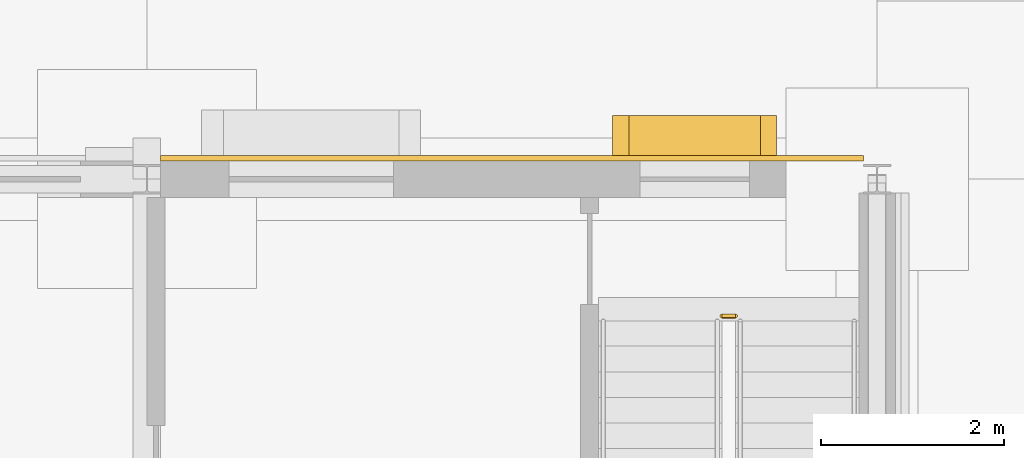
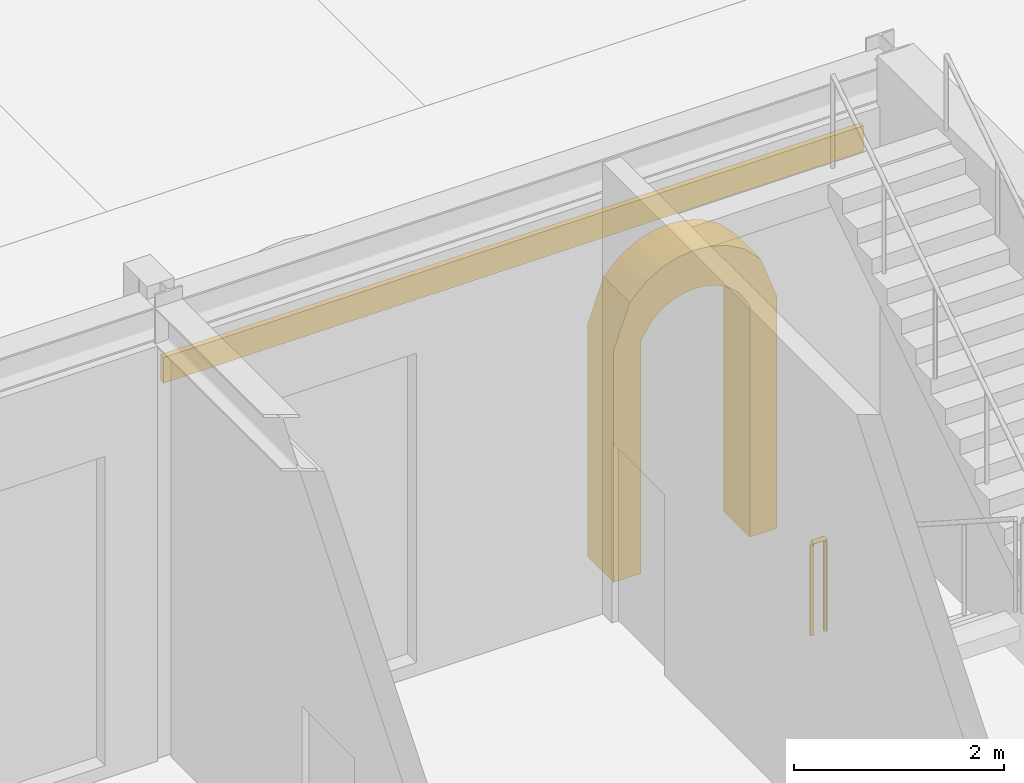
# One storey, part 110 of 126: 2 coverings, 1 railing.
"""IFC4 building model written with IfcOpenShell, lengths in metres."""

import ifcopenshell
import ifcopenshell.guid

model = None  # the IFC model being written
_history = None  # IfcOwnerHistory: only IFC2X3 demands one
_inside = {}  # id of a spatial element -> (the spatial element, [elements in it])
_under = {}  # id of a project, library or spatial element -> (it, [spatial elements below it])
_declared = {}  # id of a project -> (the project, [libraries it declares])
_typed = {}  # id of a type object -> (the type object, [elements of that type])
_made_of = {}  # id of a material, layer set ... -> (it, [elements and type objects made of it])


def new_model(schema):
    """Start an empty IFC model of exactly this schema.

    Asked for "IFC4X3", IfcOpenShell would pick the latest addendum, in which some entities
    have other attributes; the version numbers below select the first issue.
    IFC2X3 requires an IfcOwnerHistory on every rooted entity: one is made here for all.
    """
    global model, _history
    if schema == "IFC4X3":
        model = ifcopenshell.file(schema_version=(4, 3, 0, 0))
    else:
        model = ifcopenshell.file(schema=schema)
    _inside.clear()
    _under.clear()
    _declared.clear()
    _typed.clear()
    _made_of.clear()
    _history = None
    if model.schema == "IFC2X3":
        org = make("IfcOrganization", Name="unknown")
        user = make(
            "IfcPersonAndOrganization",
            ThePerson=make("IfcPerson", FamilyName="unknown"),
            TheOrganization=org,
        )
        app = make(
            "IfcApplication",
            ApplicationDeveloper=org,
            Version="unknown",
            ApplicationFullName="unknown",
            ApplicationIdentifier="unknown",
        )
        _history = make(
            "IfcOwnerHistory",
            OwningUser=user,
            OwningApplication=app,
            ChangeAction="ADDED",
            CreationDate=0,
        )
    return model


def make(cls, **values):
    """One entity of the class cls with the attributes given. An attribute that is None is left unset."""
    return model.create_entity(
        cls, **{name: value for name, value in values.items() if value is not None}
    )


def rooted(cls, **values):
    """An entity with a GlobalId (a new one), such as an element, a storey or a relation."""
    return make(cls, GlobalId=ifcopenshell.guid.new(), OwnerHistory=_history, **values)


def si_unit(unit_type, name, prefix=None):
    """IfcSIUnit, for example si_unit("LENGTHUNIT", "METRE", prefix="MILLI")."""
    return make("IfcSIUnit", UnitType=unit_type, Prefix=prefix, Name=name)


def assignment(units):
    """IfcUnitAssignment: the units of a project."""
    return None if units is None else make("IfcUnitAssignment", Units=units)


def point(xyz):
    """IfcCartesianPoint."""
    return None if xyz is None else make("IfcCartesianPoint", Coordinates=xyz)


def direction(xyz):
    """IfcDirection."""
    return None if xyz is None else make("IfcDirection", DirectionRatios=xyz)


def frame(location, z_axis=None, x_axis=None):
    """IfcAxis2Placement3D, a coordinate frame: its origin and axes. An axis left out is left unset."""
    return make(
        "IfcAxis2Placement3D",
        Location=point(location),
        Axis=direction(z_axis),
        RefDirection=direction(x_axis),
    )


def frame_2d(location, x_axis=None):
    """IfcAxis2Placement2D, a coordinate frame in the plane: its origin and x axis."""
    return make(
        "IfcAxis2Placement2D", Location=point(location), RefDirection=direction(x_axis)
    )


def origin():
    """The frame at (0, 0, 0) with its axes left unset."""
    return frame((0.0, 0.0, 0.0))


def origin_2d():
    """The frame at (0, 0) in the plane with its x axis left unset."""
    return frame_2d((0.0, 0.0))


def place(relative_to, where):
    """IfcLocalPlacement: puts the frame where relative to a parent placement (None: the world)."""
    return make(
        "IfcLocalPlacement", PlacementRelTo=relative_to, RelativePlacement=where
    )


def context(
    kind, dimensions, precision=None, world=None, true_north=None, identifier=None
):
    """IfcGeometricRepresentationContext, for example the 3D "Model" context."""
    return make(
        "IfcGeometricRepresentationContext",
        ContextIdentifier=identifier,
        ContextType=kind,
        CoordinateSpaceDimension=dimensions,
        Precision=precision,
        WorldCoordinateSystem=world,
        TrueNorth=true_north,
    )


def subcontext(parent, identifier, kind, view, scale=None):
    """IfcGeometricRepresentationSubContext, for example "Body" below "Model"."""
    return make(
        "IfcGeometricRepresentationSubContext",
        ContextIdentifier=identifier,
        ContextType=kind,
        ParentContext=parent,
        TargetScale=scale,
        TargetView=view,
    )


def project(units=None, contexts=None):
    """IfcProject with its units and contexts."""
    return rooted(
        "IfcProject",
        Name="project",
        RepresentationContexts=contexts,
        UnitsInContext=assignment(units),
    )


def spatial(cls, under=None, at=None, **own):
    """A site, building, storey or space (cls), placed at a placement, below another one or the project."""
    s = rooted(cls, ObjectPlacement=at, **own)
    if under is not None:
        _under.setdefault(under.id(), (under, []))[1].append(s)
    return s


def polyline(points):
    """IfcPolyline through the points."""
    return make("IfcPolyline", Points=[point(p) for p in points])


def profile(cls, at=None, kind="AREA", **sizes):
    """A parametric profile (cls). Its sizes go by their IFC names, for example OverallWidth=200.0."""
    return make(cls, ProfileType=kind, Position=at, **sizes)


def rectangle(**sizes):
    """IfcRectangleProfileDef."""
    return profile("IfcRectangleProfileDef", **sizes)


def circle(**sizes):
    """IfcCircleProfileDef."""
    return profile("IfcCircleProfileDef", **sizes)


def outline(outer, holes=None, kind="AREA"):
    """IfcArbitraryClosedProfileDef: a profile drawn as a closed curve; with holes, ...WithVoids."""
    if holes is None:
        return make("IfcArbitraryClosedProfileDef", ProfileType=kind, OuterCurve=outer)
    return make(
        "IfcArbitraryProfileDefWithVoids",
        ProfileType=kind,
        OuterCurve=outer,
        InnerCurves=holes,
    )


def extrude(swept, where, along, depth):
    """IfcExtrudedAreaSolid: the profile swept, set in the frame where, extruded along a direction by depth."""
    return make(
        "IfcExtrudedAreaSolid",
        SweptArea=swept,
        Position=where,
        ExtrudedDirection=direction(along),
        Depth=depth,
    )


def shape(context_of_items, identifier, shape_type, items):
    """IfcShapeRepresentation: the items that make up one representation, for example the "Body"."""
    return make(
        "IfcShapeRepresentation",
        ContextOfItems=context_of_items,
        RepresentationIdentifier=identifier,
        RepresentationType=shape_type,
        Items=items,
    )


def material(Name=None, Category=None):
    """IfcMaterial."""
    return make("IfcMaterial", Name=Name, Category=Category)


def layer(
    of_material, thickness, ventilated=None, Name=None, Category=None, Priority=None
):
    """IfcMaterialLayer: one layer of a wall or slab, of a material (None: an air gap)."""
    return make(
        "IfcMaterialLayer",
        Material=of_material,
        LayerThickness=thickness,
        IsVentilated=ventilated,
        Name=Name,
        Category=Category,
        Priority=Priority,
    )


def layer_set(layers, Name=None):
    """IfcMaterialLayerSet."""
    return make("IfcMaterialLayerSet", MaterialLayers=layers, LayerSetName=Name)


def made_of(thing, what):
    """Note that an element or type object is made of a material, layer set ...; save() writes the relation."""
    if what is not None:
        _made_of.setdefault(what.id(), (what, []))[1].append(thing)
    return thing


def type_object(cls, material=None, **own):
    """A type object (cls), such as IfcWallType, which elements share."""
    return made_of(rooted(cls, **own), material)


def element(
    cls,
    number,
    at=None,
    inside=None,
    cuts=None,
    type_object=None,
    material=None,
    context=None,
    identifier="Body",
    shape_type=None,
    held_by="IfcProductDefinitionShape",
    body=None,
    shapes=None,
    **own,
):
    """One element of the class cls, such as IfcWall. Its Tag is "e" and its number.

    at: its placement. inside: the storey or other place that contains it. cuts: it is an
    opening in that element (IfcRelVoidsElement). A single representation is given by context,
    identifier, shape_type and body (its items); several are given by shapes. held_by: the class
    of the entity that holds the representations. save() writes the other relations.
    """
    e = rooted(cls, Tag="e%d" % number, ObjectPlacement=at, **own)
    if body is not None:
        shapes = [shape(context, identifier, shape_type, body)]
    if shapes is not None:
        e.Representation = make(held_by, Representations=shapes)
    if inside is not None:
        _inside.setdefault(inside.id(), (inside, []))[1].append(e)
    if cuts is not None:
        rooted(
            "IfcRelVoidsElement", RelatingBuildingElement=cuts, RelatedOpeningElement=e
        )
    if type_object is not None:
        _typed.setdefault(type_object.id(), (type_object, []))[1].append(e)
    return made_of(e, material)


def aggregate(whole, parts):
    """IfcRelAggregates: a whole, such as a stair, and the parts it consists of."""
    return rooted("IfcRelAggregates", RelatingObject=whole, RelatedObjects=parts)


def save(model, path):
    """Write the relations noted so far, then the file.

    IfcRelAggregates (storeys below a building ...), IfcRelContainedInSpatialStructure (elements
    in a storey), IfcRelDefinesByType, IfcRelAssociatesMaterial and IfcRelDeclares: one each for
    every whole, place, type object, material and project.
    """
    for whole, parts in _under.values():
        aggregate(whole, parts)
    for where, things in _inside.values():
        rooted(
            "IfcRelContainedInSpatialStructure",
            RelatedElements=things,
            RelatingStructure=where,
        )
    for kind, things in _typed.values():
        rooted("IfcRelDefinesByType", RelatedObjects=things, RelatingType=kind)
    for what, things in _made_of.values():
        rooted("IfcRelAssociatesMaterial", RelatedObjects=things, RelatingMaterial=what)
    for by, libraries in _declared.values():
        rooted("IfcRelDeclares", RelatingContext=by, RelatedDefinitions=libraries)
    model.write(path)


model = new_model("IFC4")

# Units and contexts
model_context = context("Model", 3, precision=1e-05, world=origin(), true_north=direction((0.0, 1.0)))
body_context = subcontext(model_context, "Body", "Model", "MODEL_VIEW")
ifc_project = project(units=[si_unit("LENGTHUNIT", "METRE"), si_unit("AREAUNIT", "SQUARE_METRE"), si_unit("VOLUMEUNIT", "CUBIC_METRE"), si_unit("PLANEANGLEUNIT", "RADIAN"), si_unit("MASSUNIT", "GRAM", prefix="KILO")], contexts=[model_context])

# Site, building, storey
site_placement = place(None, origin())
site = spatial("IfcSite", under=ifc_project, at=site_placement, CompositionType="ELEMENT")
building_placement = place(site_placement, origin())
building = spatial("IfcBuilding", under=site, at=building_placement, Name="Kallimachos Central Library", CompositionType="ELEMENT")
storey_placement = place(building_placement, origin())
storey = spatial("IfcBuildingStorey", under=building, at=storey_placement, Name="L00", CompositionType="ELEMENT", Elevation=0.0)

# Railing
ifc_material_1 = material(Name="Steel S355J2", Category="steel")
railing_type = type_object("IfcRailingType", Name="Stair guard 1100", PredefinedType="GUARDRAIL", material=ifc_material_1)
railing_placement = place(storey_placement, frame((36.300048828125, 112.5, 0.0)))
element("IfcRailing", 1, at=railing_placement, inside=storey, type_object=railing_type, Name="L00 ST6 stair guard 4", PredefinedType="GUARDRAIL", context=body_context, shape_type="SweptSolid", body=[
    extrude(circle(Radius=0.02392578125, at=origin_2d()), frame((0.0, 0.0, 1.076171875), z_axis=(1.0, 0.0, 0.0), x_axis=(0.0, 1.0, 0.0)), (0.0, 0.0, 1.0), 0.14990234375),
    extrude(circle(Radius=0.02099609375, at=origin_2d()), origin(), (0.0, 0.0, 1.0), 1.052001953125),
    extrude(circle(Radius=0.02099609375, at=origin_2d()), frame((0.14990234375, 0.0, 0.0)), (0.0, 0.0, 1.0), 1.052001953125),
])

# Coverings
ifc_material_2 = material(Name="Pentelic marble portal arch", Category="masonry")
ifc_layer_1 = layer(ifc_material_2, 0.5)
ifc_layer_set_1 = layer_set([ifc_layer_1], Name="Stone door portal 500")
covering_type_1 = type_object("IfcCoveringType", Name="Stone door portal 500", PredefinedType="MOLDING", material=ifc_layer_set_1)
covering_1_placement = place(storey_placement, frame((35.10009765625, 114.699951171875, 0.0), z_axis=(0.0, 1.0, 0.0), x_axis=(0.0, 0.0, 1.0)))
element("IfcCovering", 2, at=covering_1_placement, inside=storey, type_object=covering_type_1, Name="Door portal -DOR-L00-005", PredefinedType="MOLDING", context=body_context, shape_type="SweptSolid", body=[
    extrude(outline(polyline([(0.0, 0.0), (2.699951171875, 0.0), (3.19580078125, 0.179931640625), (3.375244140625, 0.35986328125), (3.47998046875, 0.539794921875), (3.536865234375, 0.719970703125), (3.554931640625, 0.89990234375), (3.536865234375, 1.079833984375), (3.47998046875, 1.260009765625), (3.375244140625, 1.43994140625), (3.19580078125, 1.619873046875), (2.699951171875, 1.7998046875), (0.0, 1.7998046875), (0.0, 1.5), (2.699951171875, 1.5), (2.891845703125, 1.3798828125), (2.99560546875, 1.260009765625), (3.058837890625, 1.139892578125), (3.09375, 1.02001953125), (3.10498046875, 0.89990234375), (3.09375, 0.77978515625), (3.058837890625, 0.659912109375), (2.99560546875, 0.539794921875), (2.891845703125, 0.419921875), (2.699951171875, 0.2998046875), (0.0, 0.2998046875), (0.0, 0.0)])), origin(), (0.0, 0.0, -1.0), 0.5),
])
ifc_material_3 = material(Name="Pentelic marble", Category="masonry")
ifc_layer_2 = layer(ifc_material_3, 0.06005859375)
ifc_layer_set_2 = layer_set([ifc_layer_2], Name="Window head band")
covering_type_2 = type_object("IfcCoveringType", Name="Window head band", PredefinedType="MOLDING", material=ifc_layer_set_2)
covering_2_placement = place(storey_placement, frame((34.0, 114.22998046875, 4.0498046875), z_axis=(0.0, 0.0, 1.0), x_axis=(1.0, 0.0, 0.0)))
element("IfcCovering", 3, at=covering_2_placement, inside=storey, type_object=covering_type_2, Name="head band N30", PredefinedType="MOLDING", context=body_context, shape_type="SweptSolid", body=[
    extrude(rectangle(XDim=7.699951171875, YDim=0.06005859375, at=origin_2d()), origin(), (0.0, 0.0, 1.0), 0.300048828125),
])

save(model, "model.ifc")
